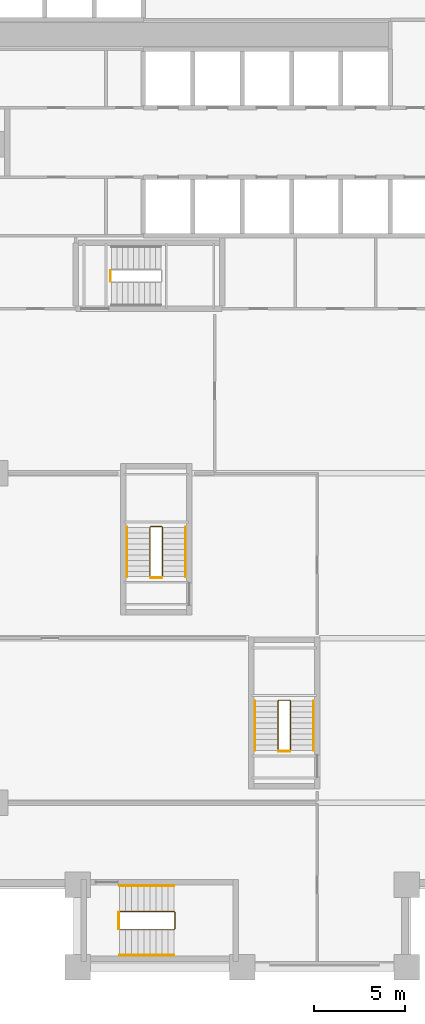
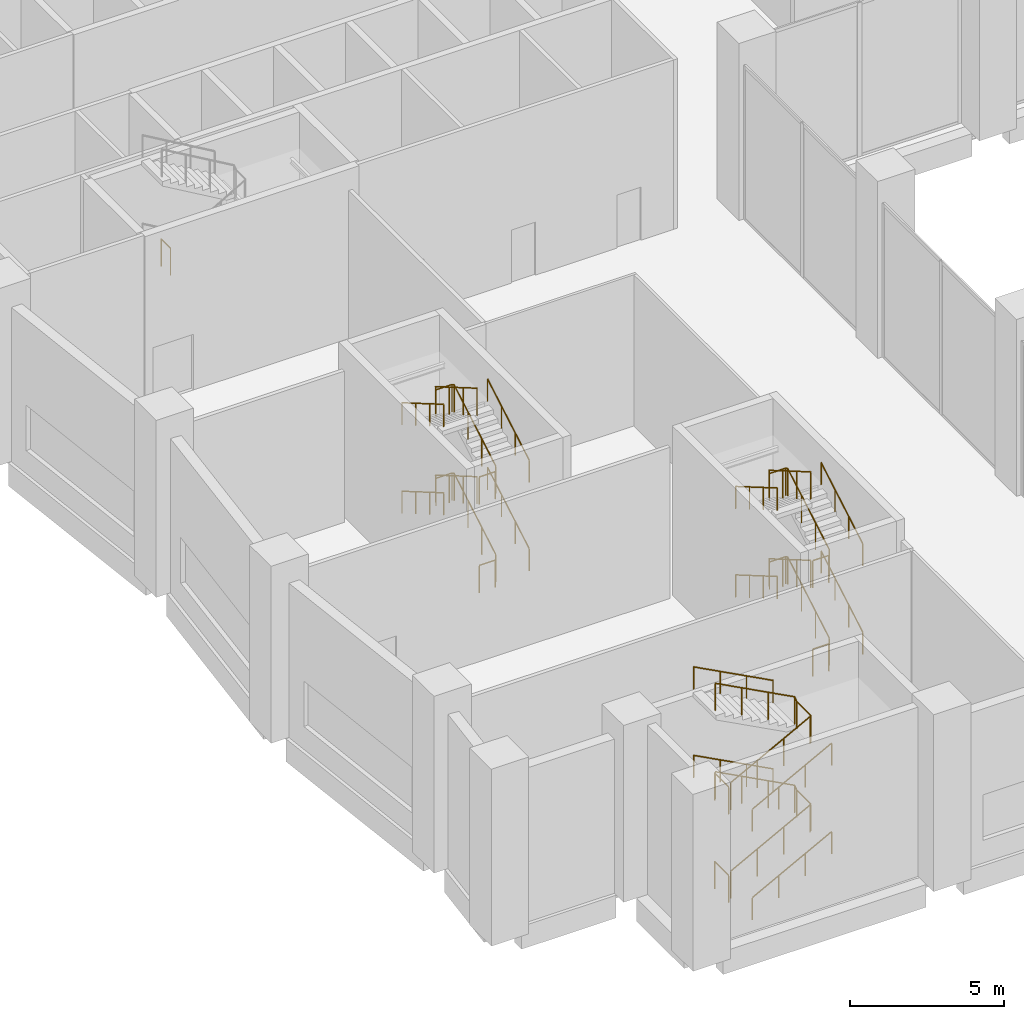
# One storey, part 16 of 18: 25 railings.
"""IFC4 building model written with IfcOpenShell, lengths in metres."""

from ifc_helpers import new_model, si_unit, direction, frame, origin, origin_2d, place, context, subcontext, project, spatial, circle, extrude, material, type_object, element, save


model = new_model("IFC4")

# Units and contexts
model_context = context("Model", 3, precision=1e-05, world=origin(), true_north=direction((0.0, 1.0)))
body_context = subcontext(model_context, "Body", "Model", "MODEL_VIEW")
ifc_project = project(units=[si_unit("LENGTHUNIT", "METRE"), si_unit("AREAUNIT", "SQUARE_METRE"), si_unit("VOLUMEUNIT", "CUBIC_METRE"), si_unit("PLANEANGLEUNIT", "RADIAN"), si_unit("MASSUNIT", "GRAM", prefix="KILO")], contexts=[model_context])

# Site, building, storey
site_placement = place(None, origin())
site = spatial("IfcSite", under=ifc_project, at=site_placement, CompositionType="ELEMENT")
building_placement = place(site_placement, origin())
building = spatial("IfcBuilding", under=site, at=building_placement, Name="Brondeck Convention Tower", CompositionType="ELEMENT")
storey_placement = place(building_placement, frame((0.0, 0.0, 7.5)))
storey = spatial("IfcBuildingStorey", under=building, at=storey_placement, Name="L01", CompositionType="ELEMENT", Elevation=7.5)

# Railings
ifc_material = material(Name="Steel S355", Category="steel")
railing_type_1 = type_object("IfcRailingType", Name="Stair guard 1100", PredefinedType="GUARDRAIL", material=ifc_material)
railing_1_placement = place(storey_placement, frame((6.300048828125, 37.5, 3.5)))
element("IfcRailing", 1, at=railing_1_placement, inside=storey, type_object=railing_type_1, Name="L01 ST-1 stair guard 2", PredefinedType="GUARDRAIL", context=body_context, shape_type="SweptSolid", body=[
    extrude(circle(Radius=0.02392578125, at=origin_2d()), frame((0.0, 0.0, 1.076171875), z_axis=(0.0, 1.0, 0.0), x_axis=(-1.0, 0.0, 0.0)), (0.0, 0.0, 1.0), 0.60009765625),
    extrude(circle(Radius=0.02099609375, at=origin_2d()), origin(), (0.0, 0.0, 1.0), 1.052001953125),
    extrude(circle(Radius=0.02099609375, at=origin_2d()), frame((0.0, 0.60009765625, 0.0)), (0.0, 0.0, 1.0), 1.052001953125),
])
railing_2_placement = place(storey_placement, frame((9.14990234375, 21.35009765625, 0.175048828125)))
element("IfcRailing", 2, at=railing_2_placement, inside=storey, type_object=railing_type_1, Name="L01 ST-BE stair guard 1", PredefinedType="GUARDRAIL", context=body_context, shape_type="SweptSolid", body=[
    extrude(circle(Radius=0.02392578125, at=origin_2d()), frame((0.0, 0.0, 1.076171875), z_axis=(0.0, 0.863781733769, 0.503866169142), x_axis=(-1.0, 0.0, 0.0)), (0.0, 0.0, 1.0), 3.125732421875),
    extrude(circle(Radius=0.02392578125, at=origin_2d()), frame((0.0, 2.699951171875, 2.65087890625), z_axis=(-0.705375805398, 0.708833529934, 0.0), x_axis=(-0.708833529934, -0.705375805398, 0.0)), (0.0, 0.0, 1.0), 0.070556640625),
    extrude(circle(Radius=0.02392578125, at=origin_2d()), frame((-0.0498046875, 2.75, 2.65087890625), z_axis=(-1.0, 0.0, 0.0), x_axis=(0.0, -1.0, 0.0)), (0.0, 0.0, 1.0), 0.60009765625),
    extrude(circle(Radius=0.02392578125, at=origin_2d()), frame((-0.64990234375, 2.75, 2.65087890625), z_axis=(-0.265065253269, -0.265065253269, 0.927081885822), x_axis=(0.707106781187, -0.707106781187, 0.0)), (0.0, 0.0, 1.0), 0.188720703125),
    extrude(circle(Radius=0.02392578125, at=origin_2d()), frame((-0.699951171875, 2.699951171875, 2.826171875), z_axis=(0.0, -0.863781733769, 0.503866169142), x_axis=(1.0, 0.0, 0.0)), (0.0, 0.0, 1.0), 3.125732421875),
    extrude(circle(Radius=0.02099609375, at=origin_2d()), origin(), (0.0, 0.0, 1.0), 1.052001953125),
    extrude(circle(Radius=0.02099609375, at=origin_2d()), frame((0.0, 0.89990234375, 0.52490234375)), (0.0, 0.0, 1.0), 1.052001953125),
    extrude(circle(Radius=0.02099609375, at=origin_2d()), frame((0.0, 1.800048828125, 1.050048828125)), (0.0, 0.0, 1.0), 1.052001953125),
    extrude(circle(Radius=0.02099609375, at=origin_2d()), frame((0.0, 2.699951171875, 1.574951171875)), (0.0, 0.0, 1.0), 1.052001953125),
    extrude(circle(Radius=0.02099609375, at=origin_2d()), frame((-0.0498046875, 2.75, 1.574951171875)), (0.0, 0.0, 1.0), 1.052001953125),
    extrude(circle(Radius=0.02099609375, at=origin_2d()), frame((-0.64990234375, 2.75, 1.574951171875)), (0.0, 0.0, 1.0), 1.052001953125),
    extrude(circle(Radius=0.02099609375, at=origin_2d()), frame((-0.699951171875, 2.699951171875, 1.75)), (0.0, 0.0, 1.0), 1.052001953125),
    extrude(circle(Radius=0.02099609375, at=origin_2d()), frame((-0.699951171875, 1.800048828125, 2.27490234375)), (0.0, 0.0, 1.0), 1.052001953125),
    extrude(circle(Radius=0.02099609375, at=origin_2d()), frame((-0.699951171875, 0.89990234375, 2.800048828125)), (0.0, 0.0, 1.0), 1.052001953125),
    extrude(circle(Radius=0.02099609375, at=origin_2d()), frame((-0.699951171875, 0.0, 3.324951171875)), (0.0, 0.0, 1.0), 1.052001953125),
])
railing_3_placement = place(storey_placement, frame((9.10009765625, 21.300048828125, 3.5)))
element("IfcRailing", 3, at=railing_3_placement, inside=storey, type_object=railing_type_1, Name="L01 ST-BE stair guard 2", PredefinedType="GUARDRAIL", context=body_context, shape_type="SweptSolid", body=[
    extrude(circle(Radius=0.02392578125, at=origin_2d()), frame((0.0, 0.0, 1.076171875), z_axis=(-1.0, 0.0, 0.0), x_axis=(0.0, -1.0, 0.0)), (0.0, 0.0, 1.0), 0.60009765625),
    extrude(circle(Radius=0.02099609375, at=origin_2d()), origin(), (0.0, 0.0, 1.0), 1.052001953125),
    extrude(circle(Radius=0.02099609375, at=origin_2d()), frame((-0.60009765625, 0.0, 0.0)), (0.0, 0.0, 1.0), 1.052001953125),
])
railing_4_placement = place(storey_placement, frame((9.14990234375, 21.35009765625, 3.675048828125)))
element("IfcRailing", 4, at=railing_4_placement, inside=storey, type_object=railing_type_1, Name="L01 ST-BE stair guard 3", PredefinedType="GUARDRAIL", context=body_context, shape_type="SweptSolid", body=[
    extrude(circle(Radius=0.02392578125, at=origin_2d()), frame((0.0, 0.0, 1.076171875), z_axis=(0.0, 0.863781733769, 0.503866169142), x_axis=(-1.0, 0.0, 0.0)), (0.0, 0.0, 1.0), 3.125732421875),
    extrude(circle(Radius=0.02392578125, at=origin_2d()), frame((0.0, 2.699951171875, 2.65087890625), z_axis=(-0.705375805398, 0.708833529934, 0.0), x_axis=(-0.708833529934, -0.705375805398, 0.0)), (0.0, 0.0, 1.0), 0.070556640625),
    extrude(circle(Radius=0.02392578125, at=origin_2d()), frame((-0.0498046875, 2.75, 2.65087890625), z_axis=(-1.0, 0.0, 0.0), x_axis=(0.0, -1.0, 0.0)), (0.0, 0.0, 1.0), 0.60009765625),
    extrude(circle(Radius=0.02392578125, at=origin_2d()), frame((-0.64990234375, 2.75, 2.65087890625), z_axis=(-0.265065253269, -0.265065253269, 0.927081885822), x_axis=(0.707106781187, -0.707106781187, 0.0)), (0.0, 0.0, 1.0), 0.188720703125),
    extrude(circle(Radius=0.02392578125, at=origin_2d()), frame((-0.699951171875, 2.699951171875, 2.826171875), z_axis=(0.0, -0.863781733769, 0.503866169142), x_axis=(1.0, 0.0, 0.0)), (0.0, 0.0, 1.0), 3.125732421875),
    extrude(circle(Radius=0.02099609375, at=origin_2d()), origin(), (0.0, 0.0, 1.0), 1.052001953125),
    extrude(circle(Radius=0.02099609375, at=origin_2d()), frame((0.0, 0.89990234375, 0.52490234375)), (0.0, 0.0, 1.0), 1.052001953125),
    extrude(circle(Radius=0.02099609375, at=origin_2d()), frame((0.0, 1.800048828125, 1.050048828125)), (0.0, 0.0, 1.0), 1.052001953125),
    extrude(circle(Radius=0.02099609375, at=origin_2d()), frame((0.0, 2.699951171875, 1.574951171875)), (0.0, 0.0, 1.0), 1.052001953125),
    extrude(circle(Radius=0.02099609375, at=origin_2d()), frame((-0.0498046875, 2.75, 1.574951171875)), (0.0, 0.0, 1.0), 1.052001953125),
    extrude(circle(Radius=0.02099609375, at=origin_2d()), frame((-0.64990234375, 2.75, 1.574951171875)), (0.0, 0.0, 1.0), 1.052001953125),
    extrude(circle(Radius=0.02099609375, at=origin_2d()), frame((-0.699951171875, 2.699951171875, 1.75)), (0.0, 0.0, 1.0), 1.052001953125),
    extrude(circle(Radius=0.02099609375, at=origin_2d()), frame((-0.699951171875, 1.800048828125, 2.27490234375)), (0.0, 0.0, 1.0), 1.052001953125),
    extrude(circle(Radius=0.02099609375, at=origin_2d()), frame((-0.699951171875, 0.89990234375, 2.800048828125)), (0.0, 0.0, 1.0), 1.052001953125),
    extrude(circle(Radius=0.02099609375, at=origin_2d()), frame((-0.699951171875, 0.0, 3.324951171875)), (0.0, 0.0, 1.0), 1.052001953125),
])
railing_5_placement = place(storey_placement, frame((9.10009765625, 21.300048828125, 0.0)))
element("IfcRailing", 5, at=railing_5_placement, inside=storey, type_object=railing_type_1, Name="L01 ST-BE stair guard 4", PredefinedType="GUARDRAIL", context=body_context, shape_type="SweptSolid", body=[
    extrude(circle(Radius=0.02392578125, at=origin_2d()), frame((0.0, 0.0, 1.076171875), z_axis=(-1.0, 0.0, 0.0), x_axis=(0.0, -1.0, 0.0)), (0.0, 0.0, 1.0), 0.60009765625),
    extrude(circle(Radius=0.02099609375, at=origin_2d()), origin(), (0.0, 0.0, 1.0), 1.052001953125),
    extrude(circle(Radius=0.02099609375, at=origin_2d()), frame((-0.60009765625, 0.0, 0.0)), (0.0, 0.0, 1.0), 1.052001953125),
])
railing_6_placement = place(storey_placement, frame((16.14990234375, 11.85009765625, 0.175048828125)))
element("IfcRailing", 6, at=railing_6_placement, inside=storey, type_object=railing_type_1, Name="L01 ST-BF stair guard 1", PredefinedType="GUARDRAIL", context=body_context, shape_type="SweptSolid", body=[
    extrude(circle(Radius=0.02392578125, at=origin_2d()), frame((0.0, 0.0, 1.076171875), z_axis=(0.0, 0.863781733769, 0.503866169142), x_axis=(-1.0, 0.0, 0.0)), (0.0, 0.0, 1.0), 3.125732421875),
    extrude(circle(Radius=0.02392578125, at=origin_2d()), frame((0.0, 2.699951171875, 2.65087890625), z_axis=(-0.705375805398, 0.708833529934, 0.0), x_axis=(-0.708833529934, -0.705375805398, 0.0)), (0.0, 0.0, 1.0), 0.070556640625),
    extrude(circle(Radius=0.02392578125, at=origin_2d()), frame((-0.0498046875, 2.75, 2.65087890625), z_axis=(-1.0, 0.0, 0.0), x_axis=(0.0, -1.0, 0.0)), (0.0, 0.0, 1.0), 0.60009765625),
    extrude(circle(Radius=0.02392578125, at=origin_2d()), frame((-0.64990234375, 2.75, 2.65087890625), z_axis=(-0.265065253269, -0.265065253269, 0.927081885822), x_axis=(0.707106781187, -0.707106781187, 0.0)), (0.0, 0.0, 1.0), 0.188720703125),
    extrude(circle(Radius=0.02392578125, at=origin_2d()), frame((-0.699951171875, 2.699951171875, 2.826171875), z_axis=(0.0, -0.863781733769, 0.503866169142), x_axis=(1.0, 0.0, 0.0)), (0.0, 0.0, 1.0), 3.125732421875),
    extrude(circle(Radius=0.02099609375, at=origin_2d()), origin(), (0.0, 0.0, 1.0), 1.052001953125),
    extrude(circle(Radius=0.02099609375, at=origin_2d()), frame((0.0, 0.89990234375, 0.52490234375)), (0.0, 0.0, 1.0), 1.052001953125),
    extrude(circle(Radius=0.02099609375, at=origin_2d()), frame((0.0, 1.800048828125, 1.050048828125)), (0.0, 0.0, 1.0), 1.052001953125),
    extrude(circle(Radius=0.02099609375, at=origin_2d()), frame((0.0, 2.699951171875, 1.574951171875)), (0.0, 0.0, 1.0), 1.052001953125),
    extrude(circle(Radius=0.02099609375, at=origin_2d()), frame((-0.0498046875, 2.75, 1.574951171875)), (0.0, 0.0, 1.0), 1.052001953125),
    extrude(circle(Radius=0.02099609375, at=origin_2d()), frame((-0.64990234375, 2.75, 1.574951171875)), (0.0, 0.0, 1.0), 1.052001953125),
    extrude(circle(Radius=0.02099609375, at=origin_2d()), frame((-0.699951171875, 2.699951171875, 1.75)), (0.0, 0.0, 1.0), 1.052001953125),
    extrude(circle(Radius=0.02099609375, at=origin_2d()), frame((-0.699951171875, 1.800048828125, 2.27490234375)), (0.0, 0.0, 1.0), 1.052001953125),
    extrude(circle(Radius=0.02099609375, at=origin_2d()), frame((-0.699951171875, 0.89990234375, 2.800048828125)), (0.0, 0.0, 1.0), 1.052001953125),
    extrude(circle(Radius=0.02099609375, at=origin_2d()), frame((-0.699951171875, 0.0, 3.324951171875)), (0.0, 0.0, 1.0), 1.052001953125),
])
railing_7_placement = place(storey_placement, frame((16.10009765625, 11.800048828125, 3.5)))
element("IfcRailing", 7, at=railing_7_placement, inside=storey, type_object=railing_type_1, Name="L01 ST-BF stair guard 2", PredefinedType="GUARDRAIL", context=body_context, shape_type="SweptSolid", body=[
    extrude(circle(Radius=0.02392578125, at=origin_2d()), frame((0.0, 0.0, 1.076171875), z_axis=(-1.0, 0.0, 0.0), x_axis=(0.0, -1.0, 0.0)), (0.0, 0.0, 1.0), 0.60009765625),
    extrude(circle(Radius=0.02099609375, at=origin_2d()), origin(), (0.0, 0.0, 1.0), 1.052001953125),
    extrude(circle(Radius=0.02099609375, at=origin_2d()), frame((-0.60009765625, 0.0, 0.0)), (0.0, 0.0, 1.0), 1.052001953125),
])
railing_8_placement = place(storey_placement, frame((16.14990234375, 11.85009765625, 3.675048828125)))
element("IfcRailing", 8, at=railing_8_placement, inside=storey, type_object=railing_type_1, Name="L01 ST-BF stair guard 3", PredefinedType="GUARDRAIL", context=body_context, shape_type="SweptSolid", body=[
    extrude(circle(Radius=0.02392578125, at=origin_2d()), frame((0.0, 0.0, 1.076171875), z_axis=(0.0, 0.863781733769, 0.503866169142), x_axis=(-1.0, 0.0, 0.0)), (0.0, 0.0, 1.0), 3.125732421875),
    extrude(circle(Radius=0.02392578125, at=origin_2d()), frame((0.0, 2.699951171875, 2.65087890625), z_axis=(-0.705375805398, 0.708833529934, 0.0), x_axis=(-0.708833529934, -0.705375805398, 0.0)), (0.0, 0.0, 1.0), 0.070556640625),
    extrude(circle(Radius=0.02392578125, at=origin_2d()), frame((-0.0498046875, 2.75, 2.65087890625), z_axis=(-1.0, 0.0, 0.0), x_axis=(0.0, -1.0, 0.0)), (0.0, 0.0, 1.0), 0.60009765625),
    extrude(circle(Radius=0.02392578125, at=origin_2d()), frame((-0.64990234375, 2.75, 2.65087890625), z_axis=(-0.265065253269, -0.265065253269, 0.927081885822), x_axis=(0.707106781187, -0.707106781187, 0.0)), (0.0, 0.0, 1.0), 0.188720703125),
    extrude(circle(Radius=0.02392578125, at=origin_2d()), frame((-0.699951171875, 2.699951171875, 2.826171875), z_axis=(0.0, -0.863781733769, 0.503866169142), x_axis=(1.0, 0.0, 0.0)), (0.0, 0.0, 1.0), 3.125732421875),
    extrude(circle(Radius=0.02099609375, at=origin_2d()), origin(), (0.0, 0.0, 1.0), 1.052001953125),
    extrude(circle(Radius=0.02099609375, at=origin_2d()), frame((0.0, 0.89990234375, 0.52490234375)), (0.0, 0.0, 1.0), 1.052001953125),
    extrude(circle(Radius=0.02099609375, at=origin_2d()), frame((0.0, 1.800048828125, 1.050048828125)), (0.0, 0.0, 1.0), 1.052001953125),
    extrude(circle(Radius=0.02099609375, at=origin_2d()), frame((0.0, 2.699951171875, 1.574951171875)), (0.0, 0.0, 1.0), 1.052001953125),
    extrude(circle(Radius=0.02099609375, at=origin_2d()), frame((-0.0498046875, 2.75, 1.574951171875)), (0.0, 0.0, 1.0), 1.052001953125),
    extrude(circle(Radius=0.02099609375, at=origin_2d()), frame((-0.64990234375, 2.75, 1.574951171875)), (0.0, 0.0, 1.0), 1.052001953125),
    extrude(circle(Radius=0.02099609375, at=origin_2d()), frame((-0.699951171875, 2.699951171875, 1.75)), (0.0, 0.0, 1.0), 1.052001953125),
    extrude(circle(Radius=0.02099609375, at=origin_2d()), frame((-0.699951171875, 1.800048828125, 2.27490234375)), (0.0, 0.0, 1.0), 1.052001953125),
    extrude(circle(Radius=0.02099609375, at=origin_2d()), frame((-0.699951171875, 0.89990234375, 2.800048828125)), (0.0, 0.0, 1.0), 1.052001953125),
    extrude(circle(Radius=0.02099609375, at=origin_2d()), frame((-0.699951171875, 0.0, 3.324951171875)), (0.0, 0.0, 1.0), 1.052001953125),
])
railing_9_placement = place(storey_placement, frame((16.10009765625, 11.800048828125, 0.0)))
element("IfcRailing", 9, at=railing_9_placement, inside=storey, type_object=railing_type_1, Name="L01 ST-BF stair guard 4", PredefinedType="GUARDRAIL", context=body_context, shape_type="SweptSolid", body=[
    extrude(circle(Radius=0.02392578125, at=origin_2d()), frame((0.0, 0.0, 1.076171875), z_axis=(-1.0, 0.0, 0.0), x_axis=(0.0, -1.0, 0.0)), (0.0, 0.0, 1.0), 0.60009765625),
    extrude(circle(Radius=0.02099609375, at=origin_2d()), origin(), (0.0, 0.0, 1.0), 1.052001953125),
    extrude(circle(Radius=0.02099609375, at=origin_2d()), frame((-0.60009765625, 0.0, 0.0)), (0.0, 0.0, 1.0), 1.052001953125),
])
railing_10_placement = place(storey_placement, frame((6.800048828125, 2.050048828125, 0.175048828125)))
element("IfcRailing", 10, at=railing_10_placement, inside=storey, type_object=railing_type_1, Name="L01 PS-2 stair guard 1", PredefinedType="GUARDRAIL", context=body_context, shape_type="SweptSolid", body=[
    extrude(circle(Radius=0.02392578125, at=origin_2d()), frame((0.0, 0.0, 1.076171875), z_axis=(0.88346620102, 0.0, 0.468494900352), x_axis=(0.0, 1.0, 0.0)), (0.0, 0.0, 1.0), 3.36181640625),
    extrude(circle(Radius=0.02392578125, at=origin_2d()), frame((2.969970703125, 0.0, 2.65087890625), z_axis=(0.707106781187, 0.707106781187, 0.0), x_axis=(-0.707106781187, 0.707106781187, 0.0)), (0.0, 0.0, 1.0), 0.07080078125),
    extrude(circle(Radius=0.02392578125, at=origin_2d()), frame((3.02001953125, 0.050048828125, 2.65087890625), z_axis=(0.0, 1.0, 0.0), x_axis=(-1.0, 0.0, 0.0)), (0.0, 0.0, 1.0), 0.89990234375),
    extrude(circle(Radius=0.02392578125, at=origin_2d()), frame((3.02001953125, 0.949951171875, 2.65087890625), z_axis=(-0.265065253269, 0.265065253269, 0.927081885822), x_axis=(-0.707106781187, -0.707106781187, 0.0)), (0.0, 0.0, 1.0), 0.188720703125),
    extrude(circle(Radius=0.02392578125, at=origin_2d()), frame((2.969970703125, 1.0, 2.826171875), z_axis=(-0.88346620102, 0.0, 0.468494900352), x_axis=(0.0, -1.0, 0.0)), (0.0, 0.0, 1.0), 3.36181640625),
    extrude(circle(Radius=0.02099609375, at=origin_2d()), origin(), (0.0, 0.0, 1.0), 1.052001953125),
    extrude(circle(Radius=0.02099609375, at=origin_2d()), frame((0.989990234375, 0.0, 0.52490234375)), (0.0, 0.0, 1.0), 1.052001953125),
    extrude(circle(Radius=0.02099609375, at=origin_2d()), frame((1.97998046875, 0.0, 1.050048828125)), (0.0, 0.0, 1.0), 1.052001953125),
    extrude(circle(Radius=0.02099609375, at=origin_2d()), frame((2.969970703125, 0.0, 1.574951171875)), (0.0, 0.0, 1.0), 1.052001953125),
    extrude(circle(Radius=0.02099609375, at=origin_2d()), frame((3.02001953125, 0.050048828125, 1.574951171875)), (0.0, 0.0, 1.0), 1.052001953125),
    extrude(circle(Radius=0.02099609375, at=origin_2d()), frame((3.02001953125, 0.949951171875, 1.574951171875)), (0.0, 0.0, 1.0), 1.052001953125),
    extrude(circle(Radius=0.02099609375, at=origin_2d()), frame((2.969970703125, 1.0, 1.75)), (0.0, 0.0, 1.0), 1.052001953125),
    extrude(circle(Radius=0.02099609375, at=origin_2d()), frame((1.97998046875, 1.0, 2.27490234375)), (0.0, 0.0, 1.0), 1.052001953125),
    extrude(circle(Radius=0.02099609375, at=origin_2d()), frame((0.989990234375, 1.0, 2.800048828125)), (0.0, 0.0, 1.0), 1.052001953125),
    extrude(circle(Radius=0.02099609375, at=origin_2d()), frame((0.0, 1.0, 3.324951171875)), (0.0, 0.0, 1.0), 1.052001953125),
])
railing_11_placement = place(storey_placement, frame((6.75, 2.10009765625, 3.5)))
element("IfcRailing", 11, at=railing_11_placement, inside=storey, type_object=railing_type_1, Name="L01 PS-2 stair guard 2", PredefinedType="GUARDRAIL", context=body_context, shape_type="SweptSolid", body=[
    extrude(circle(Radius=0.02392578125, at=origin_2d()), frame((0.0, 0.0, 1.076171875), z_axis=(0.0, 1.0, 0.0), x_axis=(-1.0, 0.0, 0.0)), (0.0, 0.0, 1.0), 0.89990234375),
    extrude(circle(Radius=0.02099609375, at=origin_2d()), origin(), (0.0, 0.0, 1.0), 1.052001953125),
    extrude(circle(Radius=0.02099609375, at=origin_2d()), frame((0.0, 0.89990234375, 0.0)), (0.0, 0.0, 1.0), 1.052001953125),
])
railing_12_placement = place(storey_placement, frame((6.800048828125, 2.050048828125, 3.675048828125)))
element("IfcRailing", 12, at=railing_12_placement, inside=storey, type_object=railing_type_1, Name="L01 PS-2 stair guard 3", PredefinedType="GUARDRAIL", context=body_context, shape_type="SweptSolid", body=[
    extrude(circle(Radius=0.02392578125, at=origin_2d()), frame((0.0, 0.0, 1.076171875), z_axis=(0.88346620102, 0.0, 0.468494900352), x_axis=(0.0, 1.0, 0.0)), (0.0, 0.0, 1.0), 3.36181640625),
    extrude(circle(Radius=0.02392578125, at=origin_2d()), frame((2.969970703125, 0.0, 2.65087890625), z_axis=(0.707106781187, 0.707106781187, 0.0), x_axis=(-0.707106781187, 0.707106781187, 0.0)), (0.0, 0.0, 1.0), 0.07080078125),
    extrude(circle(Radius=0.02392578125, at=origin_2d()), frame((3.02001953125, 0.050048828125, 2.65087890625), z_axis=(0.0, 1.0, 0.0), x_axis=(-1.0, 0.0, 0.0)), (0.0, 0.0, 1.0), 0.89990234375),
    extrude(circle(Radius=0.02392578125, at=origin_2d()), frame((3.02001953125, 0.949951171875, 2.65087890625), z_axis=(-0.265065253269, 0.265065253269, 0.927081885822), x_axis=(-0.707106781187, -0.707106781187, 0.0)), (0.0, 0.0, 1.0), 0.188720703125),
    extrude(circle(Radius=0.02392578125, at=origin_2d()), frame((2.969970703125, 1.0, 2.826171875), z_axis=(-0.88346620102, 0.0, 0.468494900352), x_axis=(0.0, -1.0, 0.0)), (0.0, 0.0, 1.0), 3.36181640625),
    extrude(circle(Radius=0.02099609375, at=origin_2d()), origin(), (0.0, 0.0, 1.0), 1.052001953125),
    extrude(circle(Radius=0.02099609375, at=origin_2d()), frame((0.989990234375, 0.0, 0.52490234375)), (0.0, 0.0, 1.0), 1.052001953125),
    extrude(circle(Radius=0.02099609375, at=origin_2d()), frame((1.97998046875, 0.0, 1.050048828125)), (0.0, 0.0, 1.0), 1.052001953125),
    extrude(circle(Radius=0.02099609375, at=origin_2d()), frame((2.969970703125, 0.0, 1.574951171875)), (0.0, 0.0, 1.0), 1.052001953125),
    extrude(circle(Radius=0.02099609375, at=origin_2d()), frame((3.02001953125, 0.050048828125, 1.574951171875)), (0.0, 0.0, 1.0), 1.052001953125),
    extrude(circle(Radius=0.02099609375, at=origin_2d()), frame((3.02001953125, 0.949951171875, 1.574951171875)), (0.0, 0.0, 1.0), 1.052001953125),
    extrude(circle(Radius=0.02099609375, at=origin_2d()), frame((2.969970703125, 1.0, 1.75)), (0.0, 0.0, 1.0), 1.052001953125),
    extrude(circle(Radius=0.02099609375, at=origin_2d()), frame((1.97998046875, 1.0, 2.27490234375)), (0.0, 0.0, 1.0), 1.052001953125),
    extrude(circle(Radius=0.02099609375, at=origin_2d()), frame((0.989990234375, 1.0, 2.800048828125)), (0.0, 0.0, 1.0), 1.052001953125),
    extrude(circle(Radius=0.02099609375, at=origin_2d()), frame((0.0, 1.0, 3.324951171875)), (0.0, 0.0, 1.0), 1.052001953125),
])
railing_13_placement = place(storey_placement, frame((6.75, 2.10009765625, 0.0)))
element("IfcRailing", 13, at=railing_13_placement, inside=storey, type_object=railing_type_1, Name="L01 PS-2 stair guard 4", PredefinedType="GUARDRAIL", context=body_context, shape_type="SweptSolid", body=[
    extrude(circle(Radius=0.02392578125, at=origin_2d()), frame((0.0, 0.0, 1.076171875), z_axis=(0.0, 1.0, 0.0), x_axis=(-1.0, 0.0, 0.0)), (0.0, 0.0, 1.0), 0.89990234375),
    extrude(circle(Radius=0.02099609375, at=origin_2d()), origin(), (0.0, 0.0, 1.0), 1.052001953125),
    extrude(circle(Radius=0.02099609375, at=origin_2d()), frame((0.0, 0.89990234375, 0.0)), (0.0, 0.0, 1.0), 1.052001953125),
])
railing_type_2 = type_object("IfcRailingType", Name="Stair handrail", PredefinedType="HANDRAIL", material=ifc_material)
railing_14_placement = place(storey_placement, frame((10.39990234375, 21.35009765625, 0.175048828125)))
element("IfcRailing", 14, at=railing_14_placement, inside=storey, type_object=railing_type_2, Name="L01 ST-BE stair handrail 1", PredefinedType="HANDRAIL", context=body_context, shape_type="SweptSolid", body=[
    extrude(circle(Radius=0.02392578125, at=origin_2d()), frame((0.0, 0.0, 0.8759765625), z_axis=(0.0, 0.863781733769, 0.503866169142), x_axis=(-1.0, 0.0, 0.0)), (0.0, 0.0, 1.0), 3.125732421875),
    extrude(circle(Radius=0.02099609375, at=origin_2d()), origin(), (0.0, 0.0, 1.0), 0.851806640625),
    extrude(circle(Radius=0.02099609375, at=origin_2d()), frame((0.0, 0.89990234375, 0.52490234375)), (0.0, 0.0, 1.0), 0.851806640625),
    extrude(circle(Radius=0.02099609375, at=origin_2d()), frame((0.0, 1.800048828125, 1.050048828125)), (0.0, 0.0, 1.0), 0.851806640625),
    extrude(circle(Radius=0.02099609375, at=origin_2d()), frame((0.0, 2.699951171875, 1.574951171875)), (0.0, 0.0, 1.0), 0.851806640625),
])
railing_15_placement = place(storey_placement, frame((7.199951171875, 24.050048828125, 1.925048828125)))
element("IfcRailing", 15, at=railing_15_placement, inside=storey, type_object=railing_type_2, Name="L01 ST-BE stair handrail 2", PredefinedType="HANDRAIL", context=body_context, shape_type="SweptSolid", body=[
    extrude(circle(Radius=0.02392578125, at=origin_2d()), frame((0.0, 0.0, 0.8759765625), z_axis=(0.0, -0.863781733769, 0.503866169142), x_axis=(1.0, 0.0, 0.0)), (0.0, 0.0, 1.0), 3.125732421875),
    extrude(circle(Radius=0.02099609375, at=origin_2d()), origin(), (0.0, 0.0, 1.0), 0.851806640625),
    extrude(circle(Radius=0.02099609375, at=origin_2d()), frame((0.0, -0.89990234375, 0.52490234375)), (0.0, 0.0, 1.0), 0.851806640625),
    extrude(circle(Radius=0.02099609375, at=origin_2d()), frame((0.0, -1.800048828125, 1.050048828125)), (0.0, 0.0, 1.0), 0.851806640625),
    extrude(circle(Radius=0.02099609375, at=origin_2d()), frame((0.0, -2.699951171875, 1.574951171875)), (0.0, 0.0, 1.0), 0.851806640625),
])
railing_16_placement = place(storey_placement, frame((10.39990234375, 21.35009765625, 3.675048828125)))
element("IfcRailing", 16, at=railing_16_placement, inside=storey, type_object=railing_type_2, Name="L01 ST-BE stair handrail 3", PredefinedType="HANDRAIL", context=body_context, shape_type="SweptSolid", body=[
    extrude(circle(Radius=0.02392578125, at=origin_2d()), frame((0.0, 0.0, 0.8759765625), z_axis=(0.0, 0.863781733769, 0.503866169142), x_axis=(-1.0, 0.0, 0.0)), (0.0, 0.0, 1.0), 3.125732421875),
    extrude(circle(Radius=0.02099609375, at=origin_2d()), origin(), (0.0, 0.0, 1.0), 0.851806640625),
    extrude(circle(Radius=0.02099609375, at=origin_2d()), frame((0.0, 0.89990234375, 0.52490234375)), (0.0, 0.0, 1.0), 0.851806640625),
    extrude(circle(Radius=0.02099609375, at=origin_2d()), frame((0.0, 1.800048828125, 1.050048828125)), (0.0, 0.0, 1.0), 0.851806640625),
    extrude(circle(Radius=0.02099609375, at=origin_2d()), frame((0.0, 2.699951171875, 1.574951171875)), (0.0, 0.0, 1.0), 0.851806640625),
])
railing_17_placement = place(storey_placement, frame((7.199951171875, 24.050048828125, 5.425048828125)))
element("IfcRailing", 17, at=railing_17_placement, inside=storey, type_object=railing_type_2, Name="L01 ST-BE stair handrail 4", PredefinedType="HANDRAIL", context=body_context, shape_type="SweptSolid", body=[
    extrude(circle(Radius=0.02392578125, at=origin_2d()), frame((0.0, 0.0, 0.8759765625), z_axis=(0.0, -0.863781733769, 0.503866169142), x_axis=(1.0, 0.0, 0.0)), (0.0, 0.0, 1.0), 3.125732421875),
    extrude(circle(Radius=0.02099609375, at=origin_2d()), origin(), (0.0, 0.0, 1.0), 0.851806640625),
    extrude(circle(Radius=0.02099609375, at=origin_2d()), frame((0.0, -0.89990234375, 0.52490234375)), (0.0, 0.0, 1.0), 0.851806640625),
    extrude(circle(Radius=0.02099609375, at=origin_2d()), frame((0.0, -1.800048828125, 1.050048828125)), (0.0, 0.0, 1.0), 0.851806640625),
    extrude(circle(Radius=0.02099609375, at=origin_2d()), frame((0.0, -2.699951171875, 1.574951171875)), (0.0, 0.0, 1.0), 0.851806640625),
])
railing_18_placement = place(storey_placement, frame((17.39990234375, 11.85009765625, 0.175048828125)))
element("IfcRailing", 18, at=railing_18_placement, inside=storey, type_object=railing_type_2, Name="L01 ST-BF stair handrail 1", PredefinedType="HANDRAIL", context=body_context, shape_type="SweptSolid", body=[
    extrude(circle(Radius=0.02392578125, at=origin_2d()), frame((0.0, 0.0, 0.8759765625), z_axis=(0.0, 0.863781733769, 0.503866169142), x_axis=(-1.0, 0.0, 0.0)), (0.0, 0.0, 1.0), 3.125732421875),
    extrude(circle(Radius=0.02099609375, at=origin_2d()), origin(), (0.0, 0.0, 1.0), 0.851806640625),
    extrude(circle(Radius=0.02099609375, at=origin_2d()), frame((0.0, 0.89990234375, 0.52490234375)), (0.0, 0.0, 1.0), 0.851806640625),
    extrude(circle(Radius=0.02099609375, at=origin_2d()), frame((0.0, 1.800048828125, 1.050048828125)), (0.0, 0.0, 1.0), 0.851806640625),
    extrude(circle(Radius=0.02099609375, at=origin_2d()), frame((0.0, 2.699951171875, 1.574951171875)), (0.0, 0.0, 1.0), 0.851806640625),
])
railing_19_placement = place(storey_placement, frame((14.199951171875, 14.550048828125, 1.925048828125)))
element("IfcRailing", 19, at=railing_19_placement, inside=storey, type_object=railing_type_2, Name="L01 ST-BF stair handrail 2", PredefinedType="HANDRAIL", context=body_context, shape_type="SweptSolid", body=[
    extrude(circle(Radius=0.02392578125, at=origin_2d()), frame((0.0, 0.0, 0.8759765625), z_axis=(0.0, -0.863781733769, 0.503866169142), x_axis=(1.0, 0.0, 0.0)), (0.0, 0.0, 1.0), 3.125732421875),
    extrude(circle(Radius=0.02099609375, at=origin_2d()), origin(), (0.0, 0.0, 1.0), 0.851806640625),
    extrude(circle(Radius=0.02099609375, at=origin_2d()), frame((0.0, -0.89990234375, 0.52490234375)), (0.0, 0.0, 1.0), 0.851806640625),
    extrude(circle(Radius=0.02099609375, at=origin_2d()), frame((0.0, -1.800048828125, 1.050048828125)), (0.0, 0.0, 1.0), 0.851806640625),
    extrude(circle(Radius=0.02099609375, at=origin_2d()), frame((0.0, -2.699951171875, 1.574951171875)), (0.0, 0.0, 1.0), 0.851806640625),
])
railing_20_placement = place(storey_placement, frame((17.39990234375, 11.85009765625, 3.675048828125)))
element("IfcRailing", 20, at=railing_20_placement, inside=storey, type_object=railing_type_2, Name="L01 ST-BF stair handrail 3", PredefinedType="HANDRAIL", context=body_context, shape_type="SweptSolid", body=[
    extrude(circle(Radius=0.02392578125, at=origin_2d()), frame((0.0, 0.0, 0.8759765625), z_axis=(0.0, 0.863781733769, 0.503866169142), x_axis=(-1.0, 0.0, 0.0)), (0.0, 0.0, 1.0), 3.125732421875),
    extrude(circle(Radius=0.02099609375, at=origin_2d()), origin(), (0.0, 0.0, 1.0), 0.851806640625),
    extrude(circle(Radius=0.02099609375, at=origin_2d()), frame((0.0, 0.89990234375, 0.52490234375)), (0.0, 0.0, 1.0), 0.851806640625),
    extrude(circle(Radius=0.02099609375, at=origin_2d()), frame((0.0, 1.800048828125, 1.050048828125)), (0.0, 0.0, 1.0), 0.851806640625),
    extrude(circle(Radius=0.02099609375, at=origin_2d()), frame((0.0, 2.699951171875, 1.574951171875)), (0.0, 0.0, 1.0), 0.851806640625),
])
railing_21_placement = place(storey_placement, frame((14.199951171875, 14.550048828125, 5.425048828125)))
element("IfcRailing", 21, at=railing_21_placement, inside=storey, type_object=railing_type_2, Name="L01 ST-BF stair handrail 4", PredefinedType="HANDRAIL", context=body_context, shape_type="SweptSolid", body=[
    extrude(circle(Radius=0.02392578125, at=origin_2d()), frame((0.0, 0.0, 0.8759765625), z_axis=(0.0, -0.863781733769, 0.503866169142), x_axis=(1.0, 0.0, 0.0)), (0.0, 0.0, 1.0), 3.125732421875),
    extrude(circle(Radius=0.02099609375, at=origin_2d()), origin(), (0.0, 0.0, 1.0), 0.851806640625),
    extrude(circle(Radius=0.02099609375, at=origin_2d()), frame((0.0, -0.89990234375, 0.52490234375)), (0.0, 0.0, 1.0), 0.851806640625),
    extrude(circle(Radius=0.02099609375, at=origin_2d()), frame((0.0, -1.800048828125, 1.050048828125)), (0.0, 0.0, 1.0), 0.851806640625),
    extrude(circle(Radius=0.02099609375, at=origin_2d()), frame((0.0, -2.699951171875, 1.574951171875)), (0.0, 0.0, 1.0), 0.851806640625),
])
railing_22_placement = place(storey_placement, frame((6.800048828125, 0.64990234375, 0.175048828125)))
element("IfcRailing", 22, at=railing_22_placement, inside=storey, type_object=railing_type_2, Name="L01 PS-2 stair handrail 1", PredefinedType="HANDRAIL", context=body_context, shape_type="SweptSolid", body=[
    extrude(circle(Radius=0.02392578125, at=origin_2d()), frame((0.0, 0.0, 0.8759765625), z_axis=(0.88346620102, 0.0, 0.468494900352), x_axis=(0.0, 1.0, 0.0)), (0.0, 0.0, 1.0), 3.36181640625),
    extrude(circle(Radius=0.02099609375, at=origin_2d()), origin(), (0.0, 0.0, 1.0), 0.851806640625),
    extrude(circle(Radius=0.02099609375, at=origin_2d()), frame((0.989990234375, 0.0, 0.52490234375)), (0.0, 0.0, 1.0), 0.851806640625),
    extrude(circle(Radius=0.02099609375, at=origin_2d()), frame((1.97998046875, 0.0, 1.050048828125)), (0.0, 0.0, 1.0), 0.851806640625),
    extrude(circle(Radius=0.02099609375, at=origin_2d()), frame((2.969970703125, 0.0, 1.574951171875)), (0.0, 0.0, 1.0), 0.851806640625),
])
railing_23_placement = place(storey_placement, frame((9.77001953125, 4.449951171875, 1.925048828125)))
element("IfcRailing", 23, at=railing_23_placement, inside=storey, type_object=railing_type_2, Name="L01 PS-2 stair handrail 2", PredefinedType="HANDRAIL", context=body_context, shape_type="SweptSolid", body=[
    extrude(circle(Radius=0.02392578125, at=origin_2d()), frame((0.0, 0.0, 0.8759765625), z_axis=(-0.88346620102, 0.0, 0.468494900352), x_axis=(0.0, -1.0, 0.0)), (0.0, 0.0, 1.0), 3.36181640625),
    extrude(circle(Radius=0.02099609375, at=origin_2d()), origin(), (0.0, 0.0, 1.0), 0.851806640625),
    extrude(circle(Radius=0.02099609375, at=origin_2d()), frame((-0.989990234375, 0.0, 0.52490234375)), (0.0, 0.0, 1.0), 0.851806640625),
    extrude(circle(Radius=0.02099609375, at=origin_2d()), frame((-1.97998046875, 0.0, 1.050048828125)), (0.0, 0.0, 1.0), 0.851806640625),
    extrude(circle(Radius=0.02099609375, at=origin_2d()), frame((-2.969970703125, 0.0, 1.574951171875)), (0.0, 0.0, 1.0), 0.851806640625),
])
railing_24_placement = place(storey_placement, frame((6.800048828125, 0.64990234375, 3.675048828125)))
element("IfcRailing", 24, at=railing_24_placement, inside=storey, type_object=railing_type_2, Name="L01 PS-2 stair handrail 3", PredefinedType="HANDRAIL", context=body_context, shape_type="SweptSolid", body=[
    extrude(circle(Radius=0.02392578125, at=origin_2d()), frame((0.0, 0.0, 0.8759765625), z_axis=(0.88346620102, 0.0, 0.468494900352), x_axis=(0.0, 1.0, 0.0)), (0.0, 0.0, 1.0), 3.36181640625),
    extrude(circle(Radius=0.02099609375, at=origin_2d()), origin(), (0.0, 0.0, 1.0), 0.851806640625),
    extrude(circle(Radius=0.02099609375, at=origin_2d()), frame((0.989990234375, 0.0, 0.52490234375)), (0.0, 0.0, 1.0), 0.851806640625),
    extrude(circle(Radius=0.02099609375, at=origin_2d()), frame((1.97998046875, 0.0, 1.050048828125)), (0.0, 0.0, 1.0), 0.851806640625),
    extrude(circle(Radius=0.02099609375, at=origin_2d()), frame((2.969970703125, 0.0, 1.574951171875)), (0.0, 0.0, 1.0), 0.851806640625),
])
railing_25_placement = place(storey_placement, frame((9.77001953125, 4.449951171875, 5.425048828125)))
element("IfcRailing", 25, at=railing_25_placement, inside=storey, type_object=railing_type_2, Name="L01 PS-2 stair handrail 4", PredefinedType="HANDRAIL", context=body_context, shape_type="SweptSolid", body=[
    extrude(circle(Radius=0.02392578125, at=origin_2d()), frame((0.0, 0.0, 0.8759765625), z_axis=(-0.88346620102, 0.0, 0.468494900352), x_axis=(0.0, -1.0, 0.0)), (0.0, 0.0, 1.0), 3.36181640625),
    extrude(circle(Radius=0.02099609375, at=origin_2d()), origin(), (0.0, 0.0, 1.0), 0.851806640625),
    extrude(circle(Radius=0.02099609375, at=origin_2d()), frame((-0.989990234375, 0.0, 0.52490234375)), (0.0, 0.0, 1.0), 0.851806640625),
    extrude(circle(Radius=0.02099609375, at=origin_2d()), frame((-1.97998046875, 0.0, 1.050048828125)), (0.0, 0.0, 1.0), 0.851806640625),
    extrude(circle(Radius=0.02099609375, at=origin_2d()), frame((-2.969970703125, 0.0, 1.574951171875)), (0.0, 0.0, 1.0), 0.851806640625),
])

save(model, "model.ifc")
